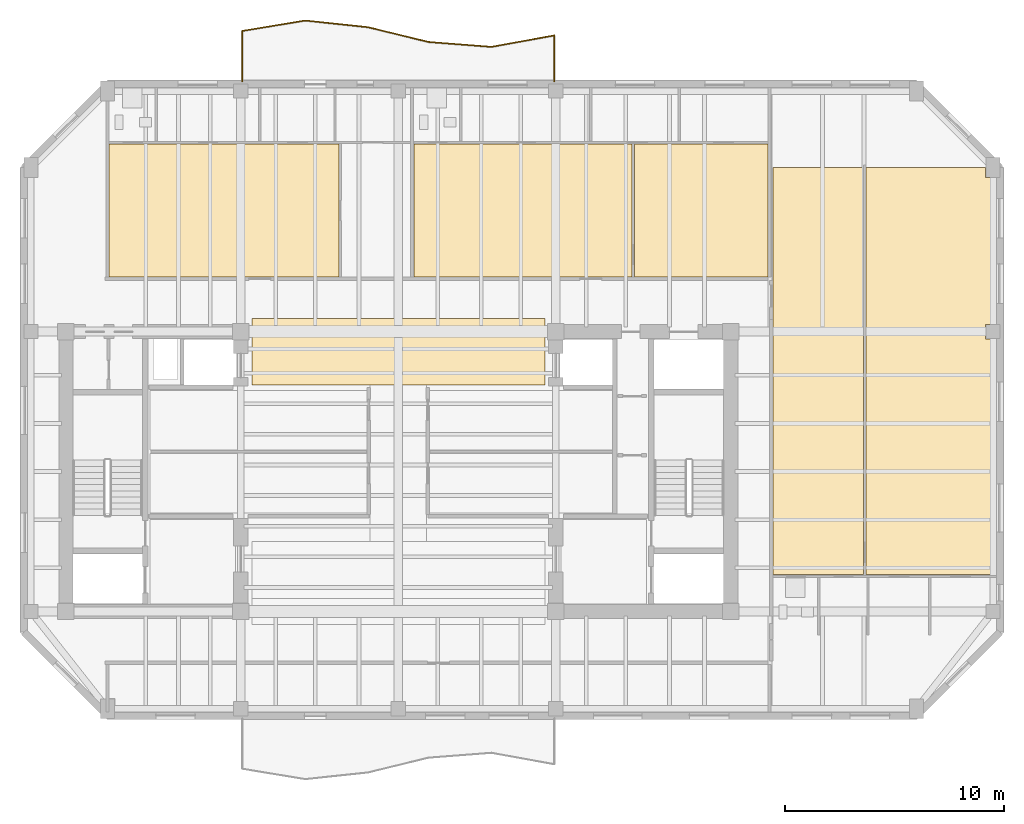
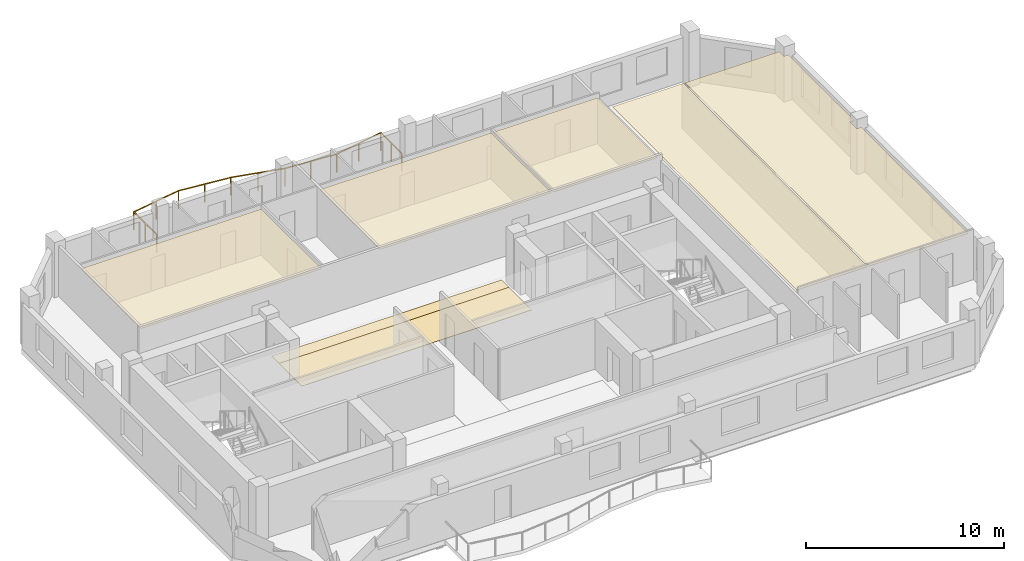
# One storey, part 8 of 9: 7 coverings, 1 railing.
"""IFC4 building model written with IfcOpenShell, lengths in metres."""

from ifc_helpers import new_model, si_unit, direction, frame, origin, origin_2d, place, context, subcontext, project, spatial, polyline, circle, outline, extrude, material, layer, layer_set, type_object, element, save


model = new_model("IFC4")

# Units and contexts
model_context = context("Model", 3, precision=1e-05, world=origin(), true_north=direction((0.0, 1.0)))
body_context = subcontext(model_context, "Body", "Model", "MODEL_VIEW")
ifc_project = project(units=[si_unit("LENGTHUNIT", "METRE"), si_unit("AREAUNIT", "SQUARE_METRE"), si_unit("VOLUMEUNIT", "CUBIC_METRE"), si_unit("PLANEANGLEUNIT", "RADIAN"), si_unit("MASSUNIT", "GRAM", prefix="KILO")], contexts=[model_context])

# Site, building, storey
site_placement = place(None, origin())
site = spatial("IfcSite", under=ifc_project, at=site_placement, CompositionType="ELEMENT")
building_placement = place(site_placement, origin())
building = spatial("IfcBuilding", under=site, at=building_placement, Name="Kranthara Brick Stack", CompositionType="ELEMENT")
storey_placement = place(building_placement, frame((0.0, 0.0, 251.699951171875)))
storey = spatial("IfcBuildingStorey", under=building, at=storey_placement, Name="L66", CompositionType="ELEMENT", Elevation=251.699951171875)

# Coverings
ifc_material_1 = material(Name="Perforated mineral-fibre acoustic ceiling tile", Category="other")
ifc_layer_1 = layer(ifc_material_1, 0.02490234375)
ifc_layer_set_1 = layer_set([ifc_layer_1], Name="Perforated mineral-fibre acoustic ceiling tile")
covering_type_1 = type_object("IfcCoveringType", Name="COV-CEIL-ACOUSTIC", PredefinedType="CEILING", material=ifc_layer_set_1)
covering_1_placement = place(storey_placement, frame((0.0, 0.0, 2.830078125)))
element("IfcCovering", 1, at=covering_1_placement, inside=storey, type_object=covering_type_1, Name="L66 Unit L66A 3-Bed Apartment Living Dining Acoustic Ceiling", PredefinedType="CEILING", context=body_context, shape_type="SweptSolid", body=[
    extrude(outline(polyline([(25.299072265625, 36.10009765625), (25.299072265625, 42.169921875), (14.780029296875, 42.169921875), (14.780029296875, 36.10009765625), (25.299072265625, 36.10009765625)])), origin(), (0.0, 0.0, 1.0), 0.02490234375),
])
covering_2_placement = place(storey_placement, frame((0.0, 0.0, 2.830078125)))
element("IfcCovering", 2, at=covering_2_placement, inside=storey, type_object=covering_type_1, Name="L66 Unit L66B 2-Bed Apartment Living Dining Acoustic Ceiling", PredefinedType="CEILING", context=body_context, shape_type="SweptSolid", body=[
    extrude(outline(polyline([(38.697021484375, 36.10009765625), (38.697021484375, 42.169921875), (28.708984375, 42.169921875), (28.708984375, 36.10009765625), (38.697021484375, 36.10009765625)])), origin(), (0.0, 0.0, 1.0), 0.02490234375),
])
covering_3_placement = place(storey_placement, frame((0.0, 0.0, 2.830078125)))
element("IfcCovering", 3, at=covering_3_placement, inside=storey, type_object=covering_type_1, Name="L66 Unit L66B Private Study Room Acoustic Ceiling", PredefinedType="CEILING", context=body_context, shape_type="SweptSolid", body=[
    extrude(outline(polyline([(44.89990234375, 36.10009765625), (44.89990234375, 42.169921875), (38.797119140625, 42.169921875), (38.797119140625, 36.10009765625), (44.89990234375, 36.10009765625)])), origin(), (0.0, 0.0, 1.0), 0.02490234375),
])
covering_4_placement = place(storey_placement, frame((0.0, 0.0, 2.830078125)))
element("IfcCovering", 4, at=covering_4_placement, inside=storey, type_object=covering_type_1, Name="L66 Unit L66C 2-Bed Apartment Living Dining Acoustic Ceiling", PredefinedType="CEILING", context=body_context, shape_type="SweptSolid", body=[
    extrude(outline(polyline([(49.279052734375, 22.47998046875), (49.279052734375, 41.10009765625), (45.139892578125, 41.10009765625), (45.139892578125, 22.47998046875), (49.279052734375, 22.47998046875)])), origin(), (0.0, 0.0, 1.0), 0.02490234375),
])
covering_5_placement = place(storey_placement, frame((0.0, 0.0, 2.830078125)))
element("IfcCovering", 5, at=covering_5_placement, inside=storey, type_object=covering_type_1, Name="L66 Unit L66C Private Study Room Acoustic Ceiling", PredefinedType="CEILING", context=body_context, shape_type="SweptSolid", body=[
    extrude(outline(polyline([(49.37890625, 22.47998046875), (49.37890625, 41.10009765625), (54.864990234375, 41.10009765625), (54.864990234375, 40.639892578125), (55.1298828125, 40.639892578125), (55.1298828125, 33.93505859375), (54.864990234375, 33.93505859375), (54.864990234375, 33.264892578125), (55.1298828125, 33.264892578125), (55.1298828125, 22.47998046875), (49.37890625, 22.47998046875)])), origin(), (0.0, 0.0, 1.0), 0.02490234375),
])
ifc_material_2 = material(Name="Honed terrazzo and porcelain floor finish", Category="stone")
ifc_layer_2 = layer(ifc_material_2, 0.030029296875)
ifc_layer_set_2 = layer_set([ifc_layer_2], Name="Honed terrazzo and porcelain floor finish")
covering_type_2 = type_object("IfcCoveringType", Name="COV-FLOR-STONE", PredefinedType="FLOORING", material=ifc_layer_set_2)
covering_6_placement = place(storey_placement, origin())
element("IfcCovering", 6, at=covering_6_placement, inside=storey, type_object=covering_type_2, Name="L66 Lift Lobby Stone Flooring", PredefinedType="FLOORING", context=body_context, shape_type="SweptSolid", body=[
    extrude(outline(polyline([(34.699951171875, 31.14990234375), (34.699951171875, 33.449951171875), (21.300048828125, 33.449951171875), (21.300048828125, 31.14990234375), (34.699951171875, 31.14990234375)])), origin(), (0.0, 0.0, 1.0), 0.030029296875),
])
covering_7_placement = place(storey_placement, origin())
element("IfcCovering", 7, at=covering_7_placement, inside=storey, type_object=covering_type_2, Name="L66 Lift Lobby Stone Flooring", PredefinedType="FLOORING", context=body_context, shape_type="SweptSolid", body=[
    extrude(outline(polyline([(34.699951171875, 33.449951171875), (21.300048828125, 33.449951171875), (21.300048828125, 34.199951171875), (34.699951171875, 34.199951171875), (34.699951171875, 33.449951171875)])), origin(), (0.0, 0.0, 1.0), 0.030029296875),
])

# Railing
ifc_material_3 = material(Name="Bronze anodised aluminium and laminated glass balustrade", Category="aluminium")
railing_type = type_object("IfcRailingType", Name="RL-BALC-1120", PredefinedType="BALUSTRADE", material=ifc_material_3)
railing_placement = place(storey_placement, frame((20.860107421875, 45.0400390625, 0.0)))
element("IfcRailing", 8, at=railing_placement, inside=storey, type_object=railing_type, Name="L66 North Rippling Balcony Balustrade", PredefinedType="BALUSTRADE", context=body_context, shape_type="SweptSolid", body=[
    extrude(circle(Radius=0.02392578125, at=origin_2d()), frame((0.0, 0.0, 1.09619140625), z_axis=(-0.000105708245, 0.999999994413, 0.0), x_axis=(-0.999999994413, -0.000105708245, 0.0)), (0.0, 0.0, 1.0), 2.3095703125),
    extrude(circle(Radius=0.02392578125, at=origin_2d()), frame((-0.000244140625, 2.3095703125, 1.09619140625), z_axis=(0.986607958071, 0.163109586079, 0.0), x_axis=(-0.163109586079, 0.986607958071, 0.0)), (0.0, 0.0, 1.0), 2.917236328125),
    extrude(circle(Radius=0.02392578125, at=origin_2d()), frame((2.8779296875, 2.785400390625, 1.09619140625), z_axis=(0.994452083775, -0.105190556015, 0.0), x_axis=(0.105190556015, 0.994452083775, 0.0)), (0.0, 0.0, 1.0), 2.8896484375),
    extrude(circle(Radius=0.02392578125, at=origin_2d()), frame((5.75146484375, 2.4814453125, 1.09619140625), z_axis=(0.971482810786, -0.237109992087, 0.0), x_axis=(0.237109992087, 0.971482810786, 0.0)), (0.0, 0.0, 1.0), 2.85009765625),
    extrude(circle(Radius=0.02392578125, at=origin_2d()), frame((8.520263671875, 1.8056640625, 1.09619140625), z_axis=(0.996991503723, -0.077510912159, 0.0), x_axis=(0.077510912159, 0.996991503723, 0.0)), (0.0, 0.0, 1.0), 2.888427734375),
    extrude(circle(Radius=0.02392578125, at=origin_2d()), frame((11.39990234375, 1.581787109375, 1.09619140625), z_axis=(0.983868575674, 0.178892777386, 0.0), x_axis=(-0.178892777386, 0.983868575674, 0.0)), (0.0, 0.0, 1.0), 2.92724609375),
    extrude(circle(Radius=0.02392578125, at=origin_2d()), frame((14.280029296875, 2.10546875, 1.09619140625), z_axis=(-0.000115955472, -0.999999993277, 0.0), x_axis=(0.999999993277, -0.000115955472, 0.0)), (0.0, 0.0, 1.0), 2.10546875),
    extrude(circle(Radius=0.02099609375, at=origin_2d()), origin(), (0.0, 0.0, 1.0), 1.072021484375),
    extrude(circle(Radius=0.02099609375, at=origin_2d()), frame((0.0, 1.15478515625, 0.0)), (0.0, 0.0, 1.0), 1.072021484375),
    extrude(circle(Radius=0.02099609375, at=origin_2d()), frame((-0.000244140625, 2.3095703125, 0.0)), (0.0, 0.0, 1.0), 1.072021484375),
    extrude(circle(Radius=0.02099609375, at=origin_2d()), frame((1.43896484375, 2.54736328125, 0.0)), (0.0, 0.0, 1.0), 1.072021484375),
    extrude(circle(Radius=0.02099609375, at=origin_2d()), frame((2.8779296875, 2.785400390625, 0.0)), (0.0, 0.0, 1.0), 1.072021484375),
    extrude(circle(Radius=0.02099609375, at=origin_2d()), frame((4.314697265625, 2.63330078125, 0.0)), (0.0, 0.0, 1.0), 1.072021484375),
    extrude(circle(Radius=0.02099609375, at=origin_2d()), frame((5.75146484375, 2.4814453125, 0.0)), (0.0, 0.0, 1.0), 1.072021484375),
    extrude(circle(Radius=0.02099609375, at=origin_2d()), frame((7.1357421875, 2.1435546875, 0.0)), (0.0, 0.0, 1.0), 1.072021484375),
    extrude(circle(Radius=0.02099609375, at=origin_2d()), frame((8.520263671875, 1.8056640625, 0.0)), (0.0, 0.0, 1.0), 1.072021484375),
    extrude(circle(Radius=0.02099609375, at=origin_2d()), frame((9.9599609375, 1.69384765625, 0.0)), (0.0, 0.0, 1.0), 1.072021484375),
    extrude(circle(Radius=0.02099609375, at=origin_2d()), frame((11.39990234375, 1.581787109375, 0.0)), (0.0, 0.0, 1.0), 1.072021484375),
    extrude(circle(Radius=0.02099609375, at=origin_2d()), frame((12.83984375, 1.84375, 0.0)), (0.0, 0.0, 1.0), 1.072021484375),
    extrude(circle(Radius=0.02099609375, at=origin_2d()), frame((14.280029296875, 2.10546875, 0.0)), (0.0, 0.0, 1.0), 1.072021484375),
    extrude(circle(Radius=0.02099609375, at=origin_2d()), frame((14.27978515625, 1.052734375, 0.0)), (0.0, 0.0, 1.0), 1.072021484375),
    extrude(circle(Radius=0.02099609375, at=origin_2d()), frame((14.27978515625, 0.0, 0.0)), (0.0, 0.0, 1.0), 1.072021484375),
])

save(model, "model.ifc")
